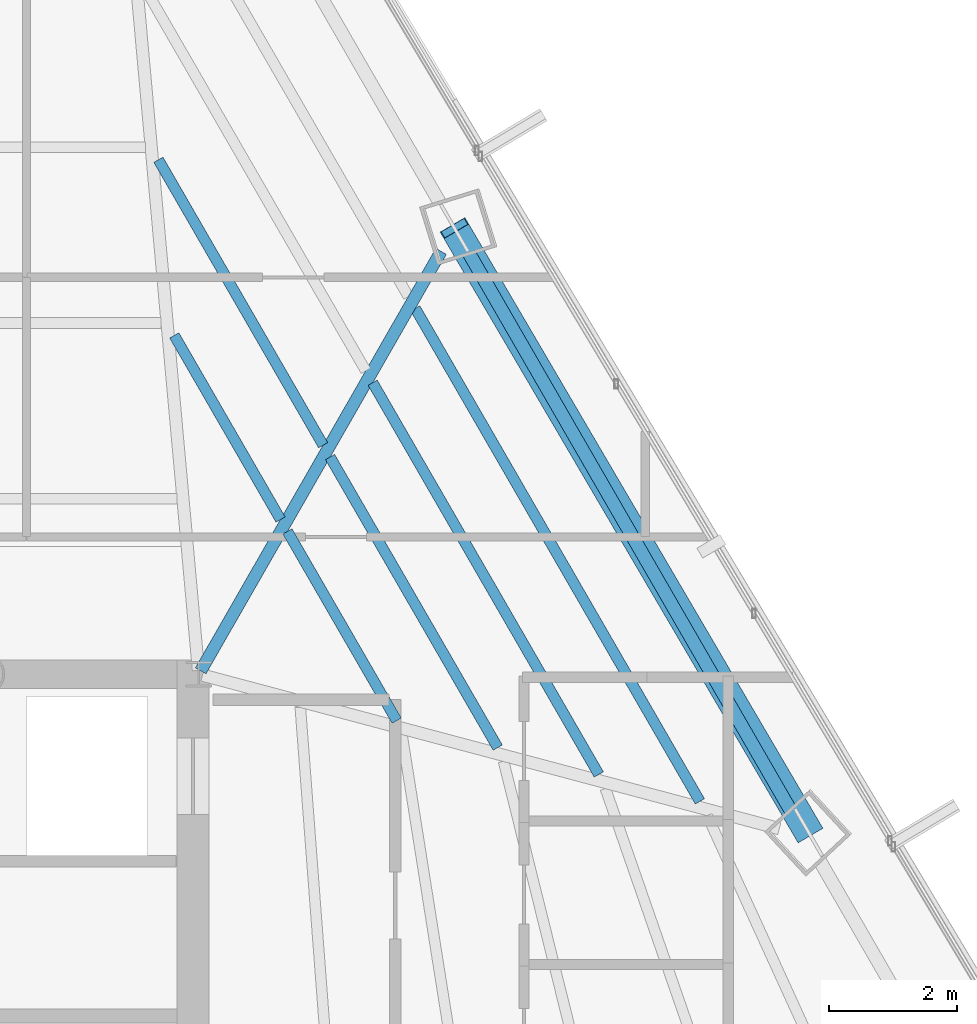
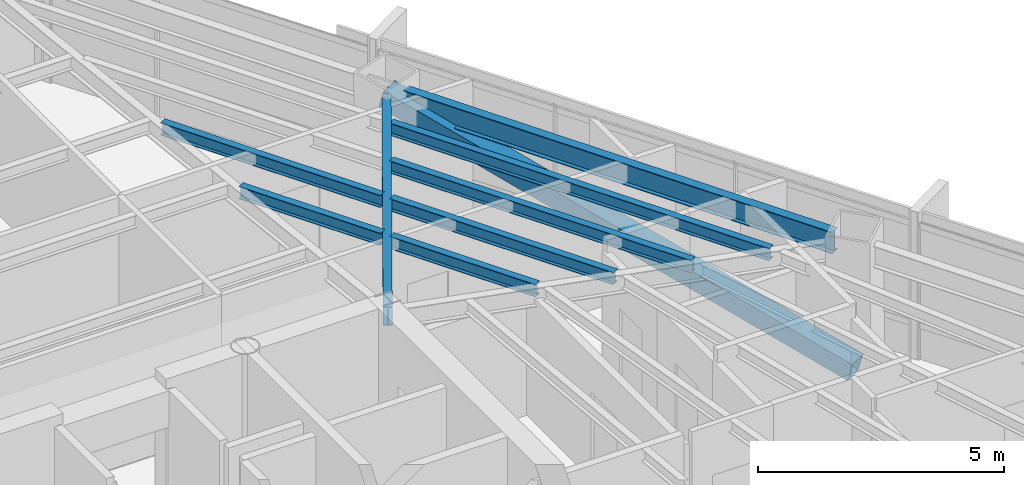
# One storey, part 24 of 41: 8 beams, 1 member.
"""IFC4 building model written with IfcOpenShell, lengths in metres."""

from ifc_helpers import new_model, si_unit, direction, frame, origin, origin_2d, place, context, subcontext, project, spatial, hollow_rectangle, i_section, extrude, source, transform, mapped, material, material_profile, profile_set, type_object, type_shapes, element, save


model = new_model("IFC4")

# Units and contexts
model_context = context("Model", 3, precision=1e-05, world=origin(), true_north=direction((0.0, 1.0)))
body_context = subcontext(model_context, "Body", "Model", "MODEL_VIEW")
ifc_project = project(units=[si_unit("LENGTHUNIT", "METRE"), si_unit("AREAUNIT", "SQUARE_METRE"), si_unit("VOLUMEUNIT", "CUBIC_METRE"), si_unit("PLANEANGLEUNIT", "RADIAN"), si_unit("MASSUNIT", "GRAM", prefix="KILO")], contexts=[model_context])

# Site, building, storey
site_placement = place(None, origin())
site = spatial("IfcSite", under=ifc_project, at=site_placement, CompositionType="ELEMENT")
building_placement = place(site_placement, origin())
building = spatial("IfcBuilding", under=site, at=building_placement, Name="Caelisora Broadcast Tower", CompositionType="ELEMENT")
storey_placement = place(building_placement, frame((0.0, 0.0, 162.14990234375)))
storey = spatial("IfcBuildingStorey", under=building, at=storey_placement, Name="L42", CompositionType="ELEMENT", Elevation=162.14990234375)

# Beams
ifc_material_1 = material(Name="Steel Grade 350 (AS/NZS 3679.1)", Category="steel")
ifc_material_profile_1 = material_profile(ifc_material_1, i_section(OverallWidth=0.208984375, OverallDepth=0.532958984375, WebThickness=0.01025390625, FlangeThickness=0.015625, at=origin_2d()), Name="Steel Grade 350 (AS/NZS 3679.1)")
ifc_profile_set_1 = profile_set([ifc_material_profile_1], Name="Steel Grade 350 (AS/NZS 3679.1)")
beam_type_1 = type_object("IfcBeamType", Name="PG05", PredefinedType="BEAM", material=ifc_profile_set_1)
shared_shape_1 = source(origin(), body_context, "Body", "SweptSolid", [
    extrude(i_section(OverallWidth=0.208984375, OverallDepth=0.532958984375, WebThickness=0.01025390625, FlangeThickness=0.015625, at=origin_2d()), origin(), (0.0, 0.0, 1.0), 10.07568359375),
])
type_shapes(beam_type_1, [shared_shape_1])
beam_1_placement = place(storey_placement, frame((54.77587890625, 27.868408203125, 3.133544921875), z_axis=(-0.49999861938, 0.866026200884, 0.0), x_axis=(-0.866026200884, -0.49999861938, 0.0)))
element("IfcBeam", 1, at=beam_1_placement, inside=storey, type_object=beam_type_1, Name="L42 beam PG05", PredefinedType="BEAM", context=body_context, shape_type="MappedRepresentation", body=[
    mapped(shared_shape_1, transform((0.0, 0.0, 0.0), scale=1.0)),
])
ifc_material_profile_2 = material_profile(ifc_material_1, i_section(OverallWidth=0.19091796875, OverallDepth=0.46044921875, WebThickness=0.010009765625, FlangeThickness=0.01611328125, at=origin_2d()), Name="Steel Grade 350 (AS/NZS 3679.1)")
ifc_profile_set_2 = profile_set([ifc_material_profile_2], Name="Steel Grade 350 (AS/NZS 3679.1)")
beam_type_2 = type_object("IfcBeamType", Name="PG06", PredefinedType="BEAM", material=ifc_profile_set_2)
shared_shape_2 = source(origin(), body_context, "Body", "SweptSolid", [
    extrude(i_section(OverallWidth=0.19091796875, OverallDepth=0.46044921875, WebThickness=0.010009765625, FlangeThickness=0.01611328125, at=origin_2d()), origin(), (0.0, 0.0, 1.0), 7.579833984375),
])
type_shapes(beam_type_2, [shared_shape_2])
beam_2_placement = place(storey_placement, frame((45.52978515625, 30.052001953125, 3.169921875), z_axis=(0.497303954611, 0.867576380919, 0.0), x_axis=(-0.867576380919, 0.497303954611, 0.0)))
element("IfcBeam", 2, at=beam_2_placement, inside=storey, type_object=beam_type_2, Name="L42 beam PG06", PredefinedType="BEAM", context=body_context, shape_type="MappedRepresentation", body=[
    mapped(shared_shape_2, transform((0.0, 0.0, 0.0), scale=1.0)),
])
ifc_material_profile_3 = material_profile(ifc_material_1, i_section(OverallWidth=0.166015625, OverallDepth=0.30712890625, WebThickness=0.006591796875, FlangeThickness=0.01171875, at=origin_2d()), Name="Steel Grade 350 (AS/NZS 3679.1)")
ifc_profile_set_3 = profile_set([ifc_material_profile_3], Name="Steel Grade 350 (AS/NZS 3679.1)")
beam_type_3 = type_object("IfcBeamType", Name="SB03", PredefinedType="JOIST", material=ifc_profile_set_3)
shared_shape_3 = source(origin(), body_context, "Body", "SweptSolid", [
    extrude(i_section(OverallWidth=0.166015625, OverallDepth=0.30712890625, WebThickness=0.006591796875, FlangeThickness=0.01171875, at=origin_2d()), origin(), (0.0, 0.0, 1.0), 3.333251953125),
])
beam_3_placement = place(storey_placement, frame((46.7822265625, 32.424072265625, 3.24658203125), z_axis=(-0.500022544631, 0.866012387244, 0.0), x_axis=(-0.866012387244, -0.500022544631, 0.0)))
element("IfcBeam", 3, at=beam_3_placement, inside=storey, type_object=beam_type_3, Name="L42 beam SB03", PredefinedType="JOIST", context=body_context, shape_type="MappedRepresentation", body=[
    mapped(shared_shape_3, transform((0.0, 0.0, 0.0), scale=1.0)),
])
shared_shape_4 = source(origin(), body_context, "Body", "SweptSolid", [
    extrude(i_section(OverallWidth=0.166015625, OverallDepth=0.30712890625, WebThickness=0.006591796875, FlangeThickness=0.01171875, at=origin_2d()), origin(), (0.0, 0.0, 1.0), 5.166259765625),
])
beam_4_placement = place(storey_placement, frame((47.4501953125, 33.58935546875, 3.24658203125), z_axis=(-0.499981532947, 0.86603606548, 0.0), x_axis=(-0.86603606548, -0.499981532947, 0.0)))
element("IfcBeam", 4, at=beam_4_placement, inside=storey, type_object=beam_type_3, Name="L42 beam SB03", PredefinedType="JOIST", context=body_context, shape_type="MappedRepresentation", body=[
    mapped(shared_shape_4, transform((0.0, 0.0, 0.0), scale=1.0)),
])
shared_shape_5 = source(origin(), body_context, "Body", "SweptSolid", [
    extrude(i_section(OverallWidth=0.166015625, OverallDepth=0.30712890625, WebThickness=0.006591796875, FlangeThickness=0.01171875, at=origin_2d()), origin(), (0.0, 0.0, 1.0), 3.426025390625),
])
beam_5_placement = place(storey_placement, frame((48.602783203125, 29.270751953125, 3.24658203125), z_axis=(-0.499971255219, 0.866041998956, 0.0), x_axis=(-0.866041998956, -0.499971255219, 0.0)))
element("IfcBeam", 5, at=beam_5_placement, inside=storey, type_object=beam_type_3, Name="L42 beam SB03", PredefinedType="JOIST", context=body_context, shape_type="MappedRepresentation", body=[
    mapped(shared_shape_5, transform((0.0, 0.0, 0.0), scale=1.0)),
])
shared_shape_6 = source(origin(), body_context, "Body", "SweptSolid", [
    extrude(i_section(OverallWidth=0.166015625, OverallDepth=0.30712890625, WebThickness=0.006591796875, FlangeThickness=0.01171875, at=origin_2d()), origin(), (0.0, 0.0, 1.0), 5.258544921875),
])
beam_6_placement = place(storey_placement, frame((50.18701171875, 28.84912109375, 3.24658203125), z_axis=(-0.499968942963, 0.866043333831, 0.0), x_axis=(-0.866043333831, -0.499968942963, 0.0)))
element("IfcBeam", 6, at=beam_6_placement, inside=storey, type_object=beam_type_3, Name="L42 beam SB03", PredefinedType="JOIST", context=body_context, shape_type="MappedRepresentation", body=[
    mapped(shared_shape_6, transform((0.0, 0.0, 0.0), scale=1.0)),
])
shared_shape_7 = source(origin(), body_context, "Body", "SweptSolid", [
    extrude(i_section(OverallWidth=0.166015625, OverallDepth=0.30712890625, WebThickness=0.006591796875, FlangeThickness=0.01171875, at=origin_2d()), origin(), (0.0, 0.0, 1.0), 7.09130859375),
])
beam_7_placement = place(storey_placement, frame((51.771484375, 28.427490234375, 3.24658203125), z_axis=(-0.5000085554, 0.866020464266, 0.0), x_axis=(-0.866020464266, -0.5000085554, 0.0)))
element("IfcBeam", 7, at=beam_7_placement, inside=storey, type_object=beam_type_3, Name="L42 beam SB03", PredefinedType="JOIST", context=body_context, shape_type="MappedRepresentation", body=[
    mapped(shared_shape_7, transform((0.0, 0.0, 0.0), scale=1.0)),
])
shared_shape_8 = source(origin(), body_context, "Body", "SweptSolid", [
    extrude(i_section(OverallWidth=0.166015625, OverallDepth=0.30712890625, WebThickness=0.006591796875, FlangeThickness=0.01171875, at=origin_2d()), origin(), (0.0, 0.0, 1.0), 8.923828125),
])
type_shapes(beam_type_3, [shared_shape_3, shared_shape_4, shared_shape_5, shared_shape_6, shared_shape_7, shared_shape_8])
beam_8_placement = place(storey_placement, frame((53.355712890625, 28.005859375, 3.24658203125), z_axis=(-0.499999532765, 0.866025673543, 0.0), x_axis=(-0.866025673543, -0.499999532765, 0.0)))
element("IfcBeam", 8, at=beam_8_placement, inside=storey, type_object=beam_type_3, Name="L42 beam SB03", PredefinedType="JOIST", context=body_context, shape_type="MappedRepresentation", body=[
    mapped(shared_shape_8, transform((0.0, 0.0, 0.0), scale=1.0)),
])

# Member
ifc_material_2 = material(Name="Steel Grade 450 (AS/NZS 1163 C450L0)", Category="steel")
ifc_material_profile_4 = material_profile(ifc_material_2, hollow_rectangle(XDim=0.449951171875, YDim=0.449951171875, WallThickness=0.01611328125, at=origin_2d()), Name="Steel Grade 450 (AS/NZS 1163 C450L0)")
ifc_profile_set_4 = profile_set([ifc_material_profile_4], Name="Steel Grade 450 (AS/NZS 1163 C450L0)")
member_type = type_object("IfcMemberType", Name="BR03", PredefinedType="BRACE", material=ifc_profile_set_4)
shared_shape_9 = source(origin(), body_context, "Body", "SweptSolid", [
    extrude(hollow_rectangle(XDim=0.449951171875, YDim=0.449951171875, WallThickness=0.01611328125, at=origin_2d()), origin(), (0.0, 0.0, 1.0), 11.382080078125),
])
type_shapes(member_type, [shared_shape_9])
member_placement = place(storey_placement, frame((55.060302734375, 27.520263671875, 0.10009765625), z_axis=(-0.487801630152, 0.83221420492, 0.263569889689), x_axis=(-0.862719712979, -0.505682407087, 0.0)))
element("IfcMember", 9, at=member_placement, inside=storey, type_object=member_type, Name="L42 perimeter brace BR03", PredefinedType="BRACE", context=body_context, shape_type="MappedRepresentation", body=[
    mapped(shared_shape_9, transform((0.0, 0.0, 0.0), scale=1.0)),
])

save(model, "model.ifc")
